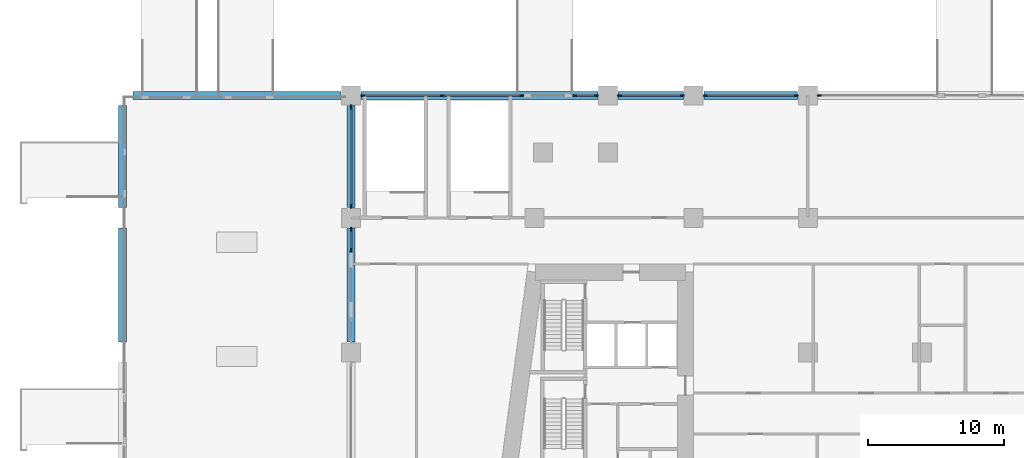
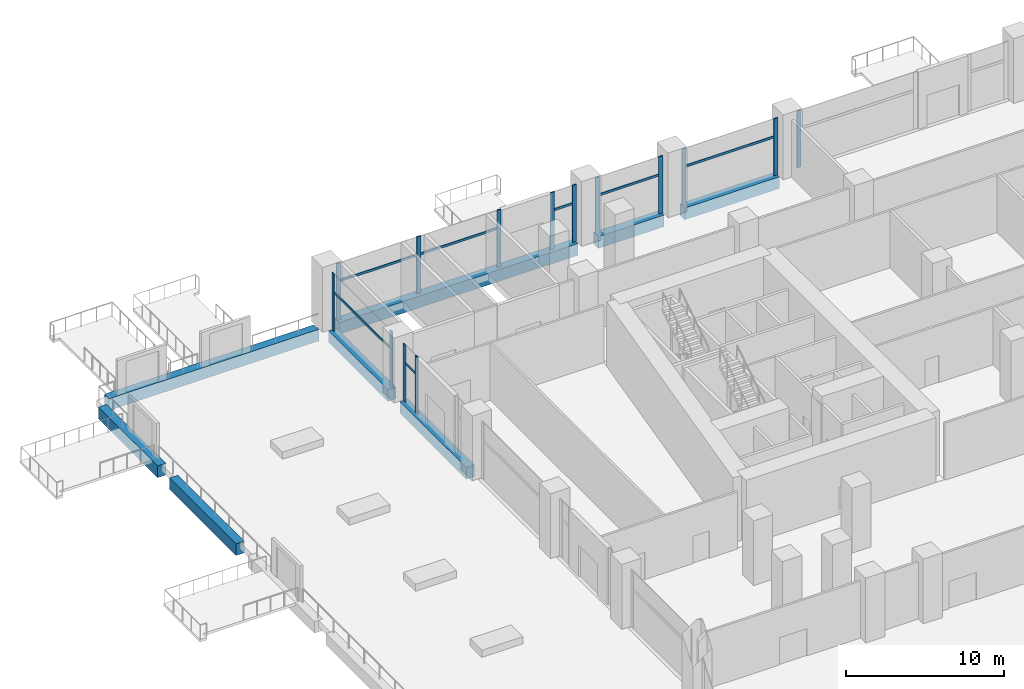
# One storey, part 7 of 33: 21 members, 8 beams, 7 elements without a shape of their own.
"""IFC4 building model written with IfcOpenShell, lengths in metres."""

from ifc_helpers import new_model, si_unit, direction, frame, origin, origin_2d, place, context, subcontext, project, spatial, rectangle, extrude, material, material_profile, profile_set, type_object, element, aggregate, save


model = new_model("IFC4")

# Units and contexts
model_context = context("Model", 3, precision=1e-05, world=origin(), true_north=direction((0.0, 1.0)))
body_context = subcontext(model_context, "Body", "Model", "MODEL_VIEW")
ifc_project = project(units=[si_unit("LENGTHUNIT", "METRE"), si_unit("AREAUNIT", "SQUARE_METRE"), si_unit("VOLUMEUNIT", "CUBIC_METRE"), si_unit("PLANEANGLEUNIT", "RADIAN"), si_unit("MASSUNIT", "GRAM", prefix="KILO")], contexts=[model_context])

# Site, building, storey
site_placement = place(None, origin())
site = spatial("IfcSite", under=ifc_project, at=site_placement, CompositionType="ELEMENT")
building_placement = place(site_placement, origin())
building = spatial("IfcBuilding", under=site, at=building_placement, Name="Candeia Pilgrim Tower and Theatre", CompositionType="ELEMENT")
storey_placement = place(building_placement, frame((0.0, 0.0, 29.0)))
storey = spatial("IfcBuildingStorey", under=building, at=storey_placement, Name="L04", CompositionType="ELEMENT", Elevation=29.0)

# Curtain wall, members
ifc_material_1 = material(Name="Aluminium framed podium glazing", Category="aluminium")
curtain_wall_type = type_object("IfcCurtainWallType", Name="CW-P curtain wall", PredefinedType="NOTDEFINED", material=ifc_material_1)
curtain_wall_1_placement = place(storey_placement, origin())
curtain_wall_1 = element("IfcCurtainWall", 1, at=curtain_wall_1_placement, inside=storey, type_object=curtain_wall_type, Name="Curtain wall CW-P L04.041", PredefinedType="NOTDEFINED")
ifc_material_2 = material(Name="Anodised aluminium", Category="aluminium")
ifc_material_profile_1 = material_profile(ifc_material_2, rectangle(XDim=0.080078125, YDim=0.300048828125, at=origin_2d()))
ifc_profile_set_1 = profile_set([ifc_material_profile_1], Name="Anodised aluminium")
member_type_1 = type_object("IfcMemberType", Name="CW-P mullion 80x300", PredefinedType="MULLION", material=ifc_profile_set_1)
member_1_placement = place(storey_placement, frame((75.60009765625, 133.39990234375, 0.0), z_axis=(0.0, 0.0, 1.0), x_axis=(-1.0, 0.0, 0.0)))
member_1 = element("IfcMember", 2, at=member_1_placement, type_object=member_type_1, Name="CW-P mullion 1", PredefinedType="MULLION", context=body_context, shape_type="SweptSolid", body=[
    extrude(rectangle(XDim=0.080078125, YDim=0.300048828125, at=origin_2d()), origin(), (0.0, 0.0, 1.0), 4.39990234375),
])
member_2_placement = place(storey_placement, frame((75.60009765625, 134.949951171875, 0.0), z_axis=(0.0, 0.0, 1.0), x_axis=(-1.0, 0.0, 0.0)))
member_2 = element("IfcMember", 3, at=member_2_placement, type_object=member_type_1, Name="CW-P mullion 2", PredefinedType="MULLION", context=body_context, shape_type="SweptSolid", body=[
    extrude(rectangle(XDim=0.080078125, YDim=0.300048828125, at=origin_2d()), origin(), (0.0, 0.0, 1.0), 4.39990234375),
])

curtain_wall_2_placement = place(storey_placement, origin())
curtain_wall_2 = element("IfcCurtainWall", 4, at=curtain_wall_2_placement, inside=storey, type_object=curtain_wall_type, Name="Curtain wall CW-P L04.050", PredefinedType="NOTDEFINED")
member_3_placement = place(storey_placement, frame((75.60009765625, 136.64990234375, 0.0), z_axis=(0.0, 0.0, 1.0), x_axis=(-1.0, 0.0, 0.0)))
member_3 = element("IfcMember", 5, at=member_3_placement, type_object=member_type_1, Name="CW-P mullion 1", PredefinedType="MULLION", context=body_context, shape_type="SweptSolid", body=[
    extrude(rectangle(XDim=0.080078125, YDim=0.300048828125, at=origin_2d()), origin(), (0.0, 0.0, 1.0), 4.39990234375),
])
member_4_placement = place(storey_placement, frame((75.60009765625, 143.949951171875, 0.0), z_axis=(0.0, 0.0, 1.0), x_axis=(-1.0, 0.0, 0.0)))
member_4 = element("IfcMember", 6, at=member_4_placement, type_object=member_type_1, Name="CW-P mullion 2", PredefinedType="MULLION", context=body_context, shape_type="SweptSolid", body=[
    extrude(rectangle(XDim=0.080078125, YDim=0.300048828125, at=origin_2d()), origin(), (0.0, 0.0, 1.0), 4.39990234375),
])

curtain_wall_3_placement = place(storey_placement, origin())
curtain_wall_3 = element("IfcCurtainWall", 7, at=curtain_wall_3_placement, inside=storey, type_object=curtain_wall_type, Name="Curtain wall CW-P L04.100", PredefinedType="NOTDEFINED")
member_5_placement = place(storey_placement, frame((76.449951171875, 144.800048828125, 0.0), z_axis=(0.0, 0.0, 1.0), x_axis=(0.0, 1.0, 0.0)))
member_5 = element("IfcMember", 8, at=member_5_placement, type_object=member_type_1, Name="CW-P mullion 1", PredefinedType="MULLION", context=body_context, shape_type="SweptSolid", body=[
    extrude(rectangle(XDim=0.080078125, YDim=0.300048828125, at=origin_2d()), origin(), (0.0, 0.0, 1.0), 4.39990234375),
])
member_6_placement = place(storey_placement, frame((82.300048828125, 144.800048828125, 0.0), z_axis=(0.0, 0.0, 1.0), x_axis=(0.0, 1.0, 0.0)))
member_6 = element("IfcMember", 9, at=member_6_placement, type_object=member_type_1, Name="CW-P mullion 2", PredefinedType="MULLION", context=body_context, shape_type="SweptSolid", body=[
    extrude(rectangle(XDim=0.080078125, YDim=0.300048828125, at=origin_2d()), origin(), (0.0, 0.0, 1.0), 4.39990234375),
])
member_7_placement = place(storey_placement, frame((88.14990234375, 144.800048828125, 0.0), z_axis=(0.0, 0.0, 1.0), x_axis=(0.0, 1.0, 0.0)))
member_7 = element("IfcMember", 10, at=member_7_placement, type_object=member_type_1, Name="CW-P mullion 3", PredefinedType="MULLION", context=body_context, shape_type="SweptSolid", body=[
    extrude(rectangle(XDim=0.080078125, YDim=0.300048828125, at=origin_2d()), origin(), (0.0, 0.0, 1.0), 4.39990234375),
])

curtain_wall_4_placement = place(storey_placement, origin())
curtain_wall_4 = element("IfcCurtainWall", 11, at=curtain_wall_4_placement, inside=storey, type_object=curtain_wall_type, Name="Curtain wall CW-P L04.101", PredefinedType="NOTDEFINED")
member_8_placement = place(storey_placement, frame((92.050048828125, 144.800048828125, 0.0), z_axis=(0.0, 0.0, 1.0), x_axis=(0.0, 1.0, 0.0)))
member_8 = element("IfcMember", 12, at=member_8_placement, type_object=member_type_1, Name="CW-P mullion 1", PredefinedType="MULLION", context=body_context, shape_type="SweptSolid", body=[
    extrude(rectangle(XDim=0.080078125, YDim=0.300048828125, at=origin_2d()), origin(), (0.0, 0.0, 1.0), 4.39990234375),
])
member_9_placement = place(storey_placement, frame((93.64990234375, 144.800048828125, 0.0), z_axis=(0.0, 0.0, 1.0), x_axis=(0.0, 1.0, 0.0)))
member_9 = element("IfcMember", 13, at=member_9_placement, type_object=member_type_1, Name="CW-P mullion 2", PredefinedType="MULLION", context=body_context, shape_type="SweptSolid", body=[
    extrude(rectangle(XDim=0.080078125, YDim=0.300048828125, at=origin_2d()), origin(), (0.0, 0.0, 1.0), 4.39990234375),
])

curtain_wall_5_placement = place(storey_placement, origin())
curtain_wall_5 = element("IfcCurtainWall", 14, at=curtain_wall_5_placement, inside=storey, type_object=curtain_wall_type, Name="Curtain wall CW-P L04.110", PredefinedType="NOTDEFINED")
member_10_placement = place(storey_placement, frame((95.35009765625, 144.800048828125, 0.0), z_axis=(0.0, 0.0, 1.0), x_axis=(0.0, 1.0, 0.0)))
member_10 = element("IfcMember", 15, at=member_10_placement, type_object=member_type_1, Name="CW-P mullion 1", PredefinedType="MULLION", context=body_context, shape_type="SweptSolid", body=[
    extrude(rectangle(XDim=0.080078125, YDim=0.300048828125, at=origin_2d()), origin(), (0.0, 0.0, 1.0), 4.39990234375),
])
member_11_placement = place(storey_placement, frame((99.949951171875, 144.800048828125, 0.0), z_axis=(0.0, 0.0, 1.0), x_axis=(0.0, 1.0, 0.0)))
member_11 = element("IfcMember", 16, at=member_11_placement, type_object=member_type_1, Name="CW-P mullion 2", PredefinedType="MULLION", context=body_context, shape_type="SweptSolid", body=[
    extrude(rectangle(XDim=0.080078125, YDim=0.300048828125, at=origin_2d()), origin(), (0.0, 0.0, 1.0), 4.39990234375),
])

curtain_wall_6_placement = place(storey_placement, origin())
curtain_wall_6 = element("IfcCurtainWall", 17, at=curtain_wall_6_placement, inside=storey, type_object=curtain_wall_type, Name="Curtain wall CW-P L04.120", PredefinedType="NOTDEFINED")
member_12_placement = place(storey_placement, frame((101.64990234375, 144.800048828125, 0.0), z_axis=(0.0, 0.0, 1.0), x_axis=(0.0, 1.0, 0.0)))
member_12 = element("IfcMember", 18, at=member_12_placement, type_object=member_type_1, Name="CW-P mullion 1", PredefinedType="MULLION", context=body_context, shape_type="SweptSolid", body=[
    extrude(rectangle(XDim=0.080078125, YDim=0.300048828125, at=origin_2d()), origin(), (0.0, 0.0, 1.0), 4.39990234375),
])
member_13_placement = place(storey_placement, frame((108.35009765625, 144.800048828125, 0.0), z_axis=(0.0, 0.0, 1.0), x_axis=(0.0, 1.0, 0.0)))
member_13 = element("IfcMember", 19, at=member_13_placement, type_object=member_type_1, Name="CW-P mullion 2", PredefinedType="MULLION", context=body_context, shape_type="SweptSolid", body=[
    extrude(rectangle(XDim=0.080078125, YDim=0.300048828125, at=origin_2d()), origin(), (0.0, 0.0, 1.0), 4.39990234375),
])

# Curtain wall, member
curtain_wall_7_placement = place(storey_placement, origin())
curtain_wall_7 = element("IfcCurtainWall", 20, at=curtain_wall_7_placement, inside=storey, type_object=curtain_wall_type, Name="Curtain wall CW-P L04.130", PredefinedType="NOTDEFINED")
member_14_placement = place(storey_placement, frame((110.050048828125, 144.800048828125, 0.0), z_axis=(0.0, 0.0, 1.0), x_axis=(0.0, 1.0, 0.0)))
member_14 = element("IfcMember", 21, at=member_14_placement, type_object=member_type_1, Name="CW-P mullion 1", PredefinedType="MULLION", context=body_context, shape_type="SweptSolid", body=[
    extrude(rectangle(XDim=0.080078125, YDim=0.300048828125, at=origin_2d()), origin(), (0.0, 0.0, 1.0), 4.39990234375),
])
aggregate(curtain_wall_7, [member_14])

# Member
ifc_material_profile_2 = material_profile(ifc_material_2, rectangle(XDim=0.080078125, YDim=0.179931640625, at=origin_2d()))
ifc_profile_set_2 = profile_set([ifc_material_profile_2], Name="Anodised aluminium")
member_type_2 = type_object("IfcMemberType", Name="CW-P transom 80x180", PredefinedType="USERDEFINED", material=ifc_profile_set_2)
member_15_placement = place(storey_placement, frame((75.60009765625, 133.43994140625, 3.0), z_axis=(0.0, 1.0, 0.0), x_axis=(-1.0, 0.0, 0.0)))
member_15 = element("IfcMember", 22, at=member_15_placement, type_object=member_type_2, Name="CW-P transom 1.1", ObjectType="TRANSOM", PredefinedType="USERDEFINED", context=body_context, shape_type="SweptSolid", body=[
    extrude(rectangle(XDim=0.080078125, YDim=0.179931640625, at=origin_2d()), origin(), (0.0, 0.0, 1.0), 1.469970703125),
])

aggregate(curtain_wall_1, [member_1, member_2, member_15])

member_16_placement = place(storey_placement, frame((75.60009765625, 136.68994140625, 3.0), z_axis=(0.0, 1.0, 0.0), x_axis=(-1.0, 0.0, 0.0)))
member_16 = element("IfcMember", 23, at=member_16_placement, type_object=member_type_2, Name="CW-P transom 1.1", ObjectType="TRANSOM", PredefinedType="USERDEFINED", context=body_context, shape_type="SweptSolid", body=[
    extrude(rectangle(XDim=0.080078125, YDim=0.179931640625, at=origin_2d()), origin(), (0.0, 0.0, 1.0), 7.219970703125),
])

aggregate(curtain_wall_2, [member_3, member_4, member_16])

member_17_placement = place(storey_placement, frame((76.489990234375, 144.800048828125, 3.0), z_axis=(1.0, 0.0, 0.0), x_axis=(0.0, 1.0, 0.0)))
member_17 = element("IfcMember", 24, at=member_17_placement, type_object=member_type_2, Name="CW-P transom 1.1", ObjectType="TRANSOM", PredefinedType="USERDEFINED", context=body_context, shape_type="SweptSolid", body=[
    extrude(rectangle(XDim=0.080078125, YDim=0.179931640625, at=origin_2d()), origin(), (0.0, 0.0, 1.0), 5.77001953125),
])

member_18_placement = place(storey_placement, frame((82.340087890625, 144.800048828125, 3.0), z_axis=(1.0, 0.0, 0.0), x_axis=(0.0, 1.0, 0.0)))
member_18 = element("IfcMember", 25, at=member_18_placement, type_object=member_type_2, Name="CW-P transom 2.1", ObjectType="TRANSOM", PredefinedType="USERDEFINED", context=body_context, shape_type="SweptSolid", body=[
    extrude(rectangle(XDim=0.080078125, YDim=0.179931640625, at=origin_2d()), origin(), (0.0, 0.0, 1.0), 5.77001953125),
])

aggregate(curtain_wall_3, [member_5, member_6, member_7, member_17, member_18])

member_19_placement = place(storey_placement, frame((92.090087890625, 144.800048828125, 3.0), z_axis=(1.0, 0.0, 0.0), x_axis=(0.0, 1.0, 0.0)))
member_19 = element("IfcMember", 26, at=member_19_placement, type_object=member_type_2, Name="CW-P transom 1.1", ObjectType="TRANSOM", PredefinedType="USERDEFINED", context=body_context, shape_type="SweptSolid", body=[
    extrude(rectangle(XDim=0.080078125, YDim=0.179931640625, at=origin_2d()), origin(), (0.0, 0.0, 1.0), 1.52001953125),
])

aggregate(curtain_wall_4, [member_8, member_9, member_19])

member_20_placement = place(storey_placement, frame((95.389892578125, 144.800048828125, 3.0), z_axis=(1.0, 0.0, 0.0), x_axis=(0.0, 1.0, 0.0)))
member_20 = element("IfcMember", 27, at=member_20_placement, type_object=member_type_2, Name="CW-P transom 1.1", ObjectType="TRANSOM", PredefinedType="USERDEFINED", context=body_context, shape_type="SweptSolid", body=[
    extrude(rectangle(XDim=0.080078125, YDim=0.179931640625, at=origin_2d()), origin(), (0.0, 0.0, 1.0), 4.52001953125),
])

aggregate(curtain_wall_5, [member_10, member_11, member_20])

member_21_placement = place(storey_placement, frame((101.68994140625, 144.800048828125, 3.0), z_axis=(1.0, 0.0, 0.0), x_axis=(0.0, 1.0, 0.0)))
member_21 = element("IfcMember", 28, at=member_21_placement, type_object=member_type_2, Name="CW-P transom 1.1", ObjectType="TRANSOM", PredefinedType="USERDEFINED", context=body_context, shape_type="SweptSolid", body=[
    extrude(rectangle(XDim=0.080078125, YDim=0.179931640625, at=origin_2d()), origin(), (0.0, 0.0, 1.0), 6.6201171875),
])

aggregate(curtain_wall_6, [member_12, member_13, member_21])

# Beams
ifc_material_3 = material(Name="Concrete C80/95", Category="concrete")
ifc_material_profile_3 = material_profile(ifc_material_3, rectangle(XDim=0.60009765625, YDim=0.89990234375, at=origin_2d()))
ifc_profile_set_3 = profile_set([ifc_material_profile_3], Name="Concrete C80/95")
beam_type = type_object("IfcBeamType", Name="RC 600x900 C80/95", PredefinedType="BEAM", material=ifc_profile_set_3)
beam_1_placement = place(storey_placement, frame((108.449951171875, 144.800048828125, -0.449951171875), z_axis=(-1.0, 0.0, 0.0), x_axis=(0.0, -1.0, 0.0)))
element("IfcBeam", 29, at=beam_1_placement, inside=storey, type_object=beam_type, Name="Spandrel beam L04-11", PredefinedType="BEAM", context=body_context, shape_type="SweptSolid", body=[
    extrude(rectangle(XDim=0.60009765625, YDim=0.89990234375, at=origin_2d()), origin(), (0.0, 0.0, 1.0), 6.89990234375),
])
beam_2_placement = place(storey_placement, frame((100.050048828125, 144.800048828125, -0.449951171875), z_axis=(-1.0, 0.0, 0.0), x_axis=(0.0, -1.0, 0.0)))
element("IfcBeam", 30, at=beam_2_placement, inside=storey, type_object=beam_type, Name="Spandrel beam L04-12", PredefinedType="BEAM", context=body_context, shape_type="SweptSolid", body=[
    extrude(rectangle(XDim=0.60009765625, YDim=0.89990234375, at=origin_2d()), origin(), (0.0, 0.0, 1.0), 4.800048828125),
])
beam_3_placement = place(storey_placement, frame((93.75, 144.800048828125, -0.449951171875), z_axis=(-1.0, 0.0, 0.0), x_axis=(0.0, -1.0, 0.0)))
element("IfcBeam", 31, at=beam_3_placement, inside=storey, type_object=beam_type, Name="Spandrel beam L04-13", PredefinedType="BEAM", context=body_context, shape_type="SweptSolid", body=[
    extrude(rectangle(XDim=0.60009765625, YDim=0.89990234375, at=origin_2d()), origin(), (0.0, 0.0, 1.0), 17.39990234375),
])
beam_4_placement = place(storey_placement, frame((75.60009765625, 144.050048828125, -0.449951171875), z_axis=(0.0, -1.0, 0.0), x_axis=(1.0, 0.0, 0.0)))
element("IfcBeam", 32, at=beam_4_placement, inside=storey, type_object=beam_type, Name="Spandrel beam L04-14", PredefinedType="BEAM", context=body_context, shape_type="SweptSolid", body=[
    extrude(rectangle(XDim=0.60009765625, YDim=0.89990234375, at=origin_2d()), origin(), (0.0, 0.0, 1.0), 7.5),
])
for number, where, z_axis, x_axis, name in (
    (33, (75.60009765625, 135.050048828125, -0.449951171875), (0.0, -1.0, 0.0), (1.0, 0.0, 0.0), "Spandrel beam L04-15"),
    (34, (58.800048828125, 126.64990234375, -0.449951171875), (0.0, 1.0, 0.0), (-1.0, 0.0, 0.0), "Spandrel beam L04-29"),
):
    element("IfcBeam", number, at=place(storey_placement, frame(where, z_axis=z_axis, x_axis=x_axis)), inside=storey, type_object=beam_type, Name=name, PredefinedType="BEAM", context=body_context, shape_type="SweptSolid", body=[
        extrude(rectangle(XDim=0.60009765625, YDim=0.89990234375, at=origin_2d()), origin(), (0.0, 0.0, 1.0), 8.400146484375),
    ])
beam_5_placement = place(storey_placement, frame((58.800048828125, 136.550048828125, -0.449951171875), z_axis=(0.0, 1.0, 0.0), x_axis=(-1.0, 0.0, 0.0)))
element("IfcBeam", 35, at=beam_5_placement, inside=storey, type_object=beam_type, Name="Spandrel beam L04-30", PredefinedType="BEAM", context=body_context, shape_type="SweptSolid", body=[
    extrude(rectangle(XDim=0.60009765625, YDim=0.89990234375, at=origin_2d()), origin(), (0.0, 0.0, 1.0), 7.5),
])
beam_6_placement = place(storey_placement, frame((59.550048828125, 144.800048828125, -0.449951171875), z_axis=(1.0, 0.0, 0.0), x_axis=(0.0, 1.0, 0.0)))
element("IfcBeam", 36, at=beam_6_placement, inside=storey, type_object=beam_type, Name="Spandrel beam L04-31", PredefinedType="BEAM", context=body_context, shape_type="SweptSolid", body=[
    extrude(rectangle(XDim=0.60009765625, YDim=0.89990234375, at=origin_2d()), origin(), (0.0, 0.0, 1.0), 15.300048828125),
])

save(model, "model.ifc")
